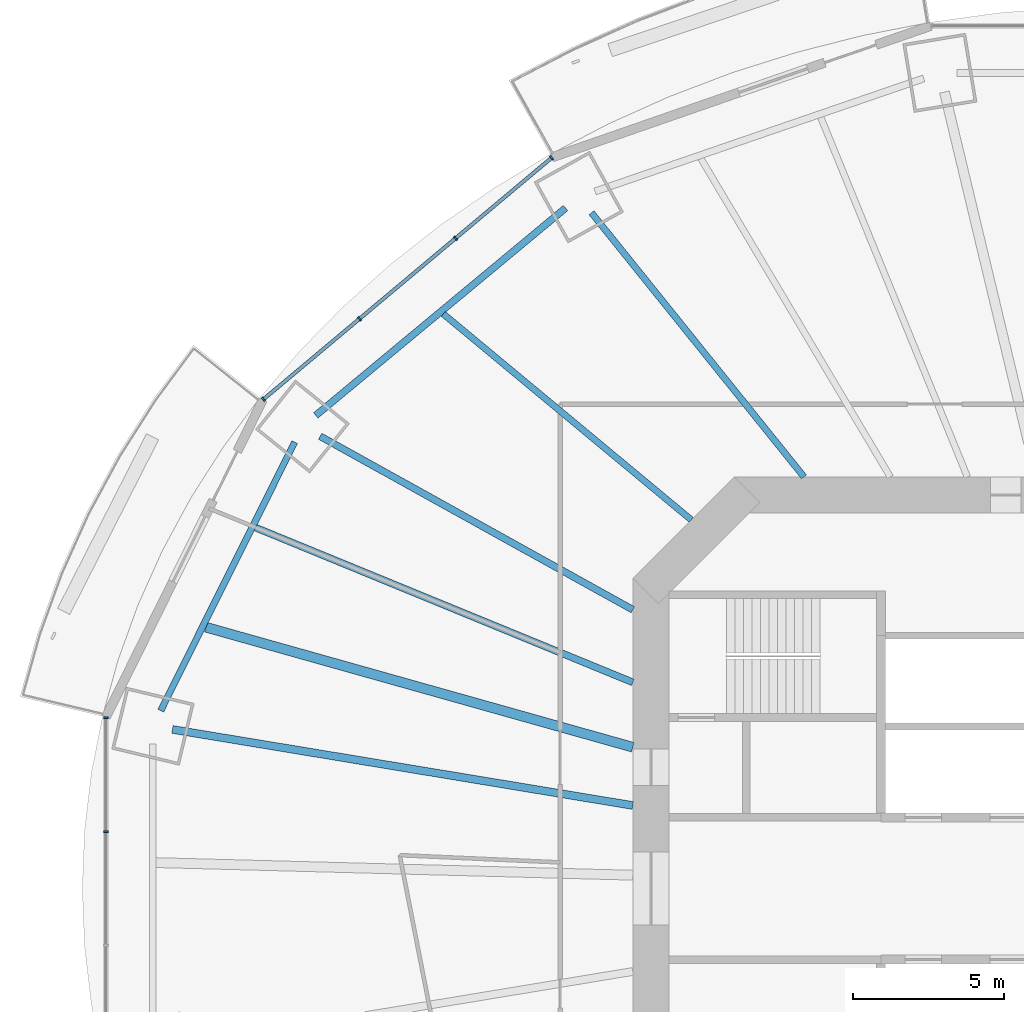
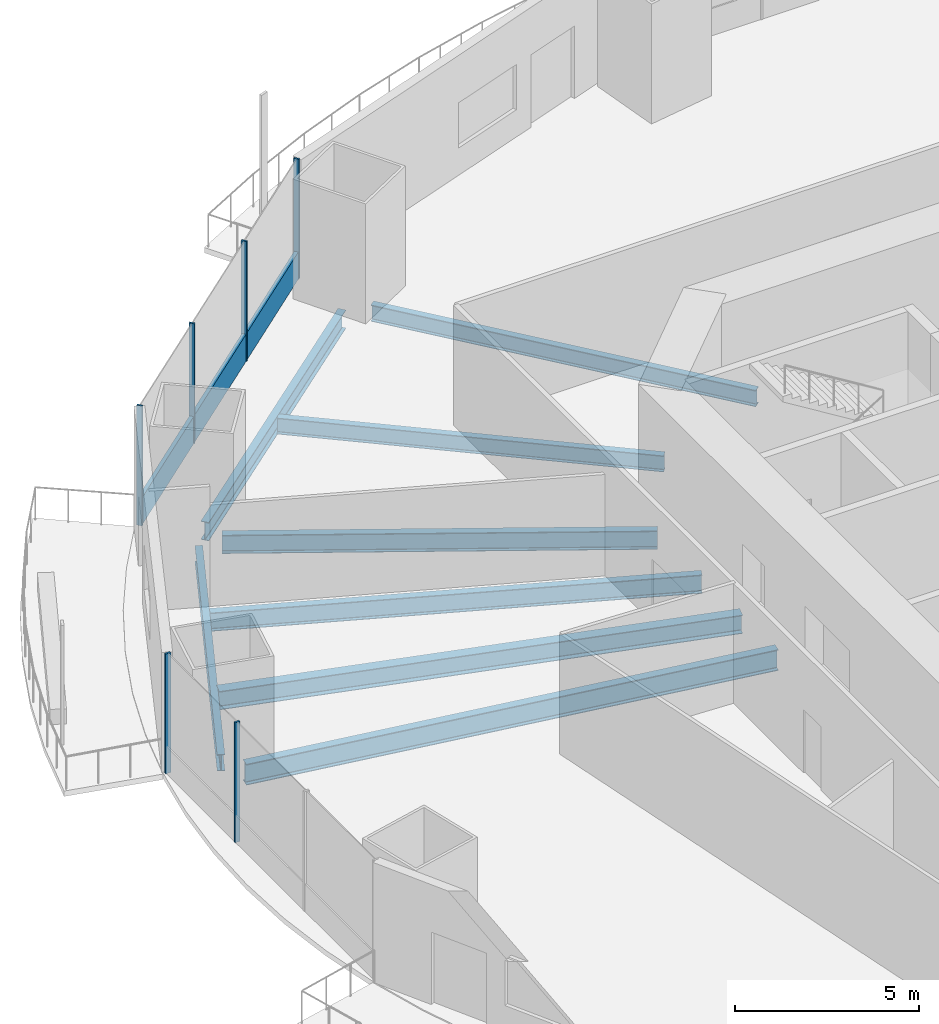
# One storey, part 6 of 22: 8 beams, 7 members, 2 elements without a shape of their own.
"""IFC4 building model written with IfcOpenShell, lengths in metres."""

from ifc_helpers import new_model, si_unit, direction, frame, origin, origin_2d, place, context, subcontext, project, spatial, rectangle, i_section, extrude, material, material_profile, profile_set, type_object, element, aggregate, save


model = new_model("IFC4")

# Units and contexts
model_context = context("Model", 3, precision=1e-05, world=origin(), true_north=direction((0.0, 1.0)))
body_context = subcontext(model_context, "Body", "Model", "MODEL_VIEW")
ifc_project = project(units=[si_unit("LENGTHUNIT", "METRE"), si_unit("AREAUNIT", "SQUARE_METRE"), si_unit("VOLUMEUNIT", "CUBIC_METRE"), si_unit("PLANEANGLEUNIT", "RADIAN"), si_unit("MASSUNIT", "GRAM", prefix="KILO")], contexts=[model_context])

# Site, building, storey
site_placement = place(None, origin())
site = spatial("IfcSite", under=ifc_project, at=site_placement, CompositionType="ELEMENT")
building_placement = place(site_placement, origin())
building = spatial("IfcBuilding", under=site, at=building_placement, Name="Marenthal Gate Tower", CompositionType="ELEMENT")
storey_placement = place(building_placement, frame((0.0, 0.0, 99.39990234375)))
storey = spatial("IfcBuildingStorey", under=building, at=storey_placement, Name="L20", CompositionType="ELEMENT", Elevation=99.39990234375)

# Curtain wall, members
ifc_material_1 = material(Name="Aluminium and glass", Category="aluminium")
curtain_wall_type = type_object("IfcCurtainWallType", Name="Curtain wall typical low", PredefinedType="NOTDEFINED", material=ifc_material_1)
curtain_wall_1_placement = place(storey_placement, origin())
curtain_wall_1 = element("IfcCurtainWall", 1, at=curtain_wall_1_placement, inside=storey, type_object=curtain_wall_type, Name="Curtain wall L20 bay 6", PredefinedType="NOTDEFINED")
ifc_material_2 = material(Name="Aluminium", Category="aluminium")
ifc_material_profile_1 = material_profile(ifc_material_2, rectangle(XDim=0.159912109375, YDim=0.06005859375, at=origin_2d()), Name="60x160 aluminium mullion")
ifc_profile_set_1 = profile_set([ifc_material_profile_1], Name="Aluminium")
member_type_1 = type_object("IfcMemberType", Name="Mullion 60x160 typical low", PredefinedType="MULLION", material=ifc_profile_set_1)
member_1_placement = place(storey_placement, frame((-19.283447265625, 24.137451171875, 0.0), z_axis=(0.0, 0.0, 1.0), x_axis=(0.642307658805, -0.766446913648, 0.0)))
member_1 = element("IfcMember", 2, at=member_1_placement, type_object=member_type_1, Name="Mullion L20 bay 6.1", PredefinedType="MULLION", context=body_context, shape_type="SweptSolid", body=[
    extrude(rectangle(XDim=0.159912109375, YDim=0.06005859375, at=origin_2d()), origin(), (0.0, 0.0, 1.0), 3.97021484375),
])
member_2_placement = place(storey_placement, frame((-22.45654296875, 21.478515625, 0.0), z_axis=(0.0, 0.0, 1.0), x_axis=(0.642307658805, -0.766446913648, 0.0)))
member_2 = element("IfcMember", 3, at=member_2_placement, type_object=member_type_1, Name="Mullion L20 bay 6.2", PredefinedType="MULLION", context=body_context, shape_type="SweptSolid", body=[
    extrude(rectangle(XDim=0.159912109375, YDim=0.06005859375, at=origin_2d()), origin(), (0.0, 0.0, 1.0), 3.97021484375),
])
member_3_placement = place(storey_placement, frame((-25.62939453125, 18.8193359375, 0.0), z_axis=(0.0, 0.0, 1.0), x_axis=(0.642307658805, -0.766446913648, 0.0)))
member_3 = element("IfcMember", 4, at=member_3_placement, type_object=member_type_1, Name="Mullion L20 bay 6.3", PredefinedType="MULLION", context=body_context, shape_type="SweptSolid", body=[
    extrude(rectangle(XDim=0.159912109375, YDim=0.06005859375, at=origin_2d()), origin(), (0.0, 0.0, 1.0), 3.97021484375),
])
member_4_placement = place(storey_placement, frame((-28.802490234375, 16.160400390625, 0.0), z_axis=(0.0, 0.0, 1.0), x_axis=(0.642307658805, -0.766446913648, 0.0)))
member_4 = element("IfcMember", 5, at=member_4_placement, type_object=member_type_1, Name="Mullion L20 bay 6.4", PredefinedType="MULLION", context=body_context, shape_type="SweptSolid", body=[
    extrude(rectangle(XDim=0.159912109375, YDim=0.06005859375, at=origin_2d()), origin(), (0.0, 0.0, 1.0), 3.97021484375),
])

curtain_wall_2_placement = place(storey_placement, origin())
curtain_wall_2 = element("IfcCurtainWall", 6, at=curtain_wall_2_placement, inside=storey, type_object=curtain_wall_type, Name="Curtain wall L20 bay 8", PredefinedType="NOTDEFINED")
member_5_placement = place(storey_placement, frame((-34.001953125, 5.637939453125, 0.0), z_axis=(0.0, 0.0, 1.0), x_axis=(1.0, 0.0, 0.0)))
member_5 = element("IfcMember", 7, at=member_5_placement, type_object=member_type_1, Name="Mullion L20 bay 8.1", PredefinedType="MULLION", context=body_context, shape_type="SweptSolid", body=[
    extrude(rectangle(XDim=0.159912109375, YDim=0.06005859375, at=origin_2d()), origin(), (0.0, 0.0, 1.0), 3.97021484375),
])
member_6_placement = place(storey_placement, frame((-34.001953125, 1.87939453125, 0.0), z_axis=(0.0, 0.0, 1.0), x_axis=(1.0, 0.0, 0.0)))
member_6 = element("IfcMember", 8, at=member_6_placement, type_object=member_type_1, Name="Mullion L20 bay 8.2", PredefinedType="MULLION", context=body_context, shape_type="SweptSolid", body=[
    extrude(rectangle(XDim=0.159912109375, YDim=0.06005859375, at=origin_2d()), origin(), (0.0, 0.0, 1.0), 3.97021484375),
])
aggregate(curtain_wall_2, [member_5, member_6])

# Member
ifc_material_3 = material(Name="Aluminium", Category="aluminium")
ifc_material_profile_2 = material_profile(ifc_material_3, rectangle(XDim=0.1201171875, YDim=0.89990234375, at=origin_2d()), Name="120x900 aluminium transom")
ifc_profile_set_2 = profile_set([ifc_material_profile_2], Name="Aluminium")
member_type_2 = type_object("IfcMemberType", Name="Transom 120x900 typical low", PredefinedType="USERDEFINED", material=ifc_profile_set_2)
member_7_placement = place(storey_placement, frame((-19.306396484375, 24.1181640625, 0.4501953125), z_axis=(-0.766442158037, -0.642313333494, 0.0), x_axis=(0.642313333494, -0.766442158037, 0.0)))
member_7 = element("IfcMember", 9, at=member_7_placement, type_object=member_type_2, Name="Transom L20 bay 6", ObjectType="TRANSOM", PredefinedType="USERDEFINED", context=body_context, shape_type="SweptSolid", body=[
    extrude(rectangle(XDim=0.1201171875, YDim=0.89990234375, at=origin_2d()), origin(), (0.0, 0.0, 1.0), 12.359619140625),
])

aggregate(curtain_wall_1, [member_1, member_2, member_3, member_4, member_7])

# Beams
ifc_material_4 = material(Name="Steel S355", Category="steel")
ifc_material_profile_3 = material_profile(ifc_material_4, i_section(OverallWidth=0.2099609375, OverallDepth=0.535888671875, WebThickness=0.010986328125, FlangeThickness=0.017333984375, FilletRadius=0.0126953125, at=origin_2d()), Name="W530X101")
ifc_profile_set_3 = profile_set([ifc_material_profile_3], Name="Steel S355")
beam_type_1 = type_object("IfcBeamType", Name="W530X101 beam", PredefinedType="BEAM", material=ifc_profile_set_3)
beam_1_placement = place(storey_placement, frame((-22.857666015625, 18.978759765625, -0.447998046875), z_axis=(0.769368830907, -0.63880482311, 0.0), x_axis=(0.63880482311, 0.769368830907, 0.0)))
element("IfcBeam", 10, at=beam_1_placement, inside=storey, type_object=beam_type_1, Name="BM-L20-25", PredefinedType="BEAM", context=body_context, shape_type="SweptSolid", body=[
    extrude(i_section(OverallWidth=0.2099609375, OverallDepth=0.535888671875, WebThickness=0.010986328125, FlangeThickness=0.017333984375, FilletRadius=0.0126953125, at=origin_2d()), origin(), (0.0, 0.0, 1.0), 10.643310546875),
])
ifc_material_5 = material(Name="Steel S355", Category="steel")
ifc_material_profile_4 = material_profile(ifc_material_5, i_section(OverallWidth=0.2119140625, OverallDepth=0.5439453125, WebThickness=0.01318359375, FlangeThickness=0.021240234375, FilletRadius=0.0126953125, at=origin_2d()), Name="W530X123")
ifc_profile_set_4 = profile_set([ifc_material_profile_4], Name="Steel S355")
beam_type_2 = type_object("IfcBeamType", Name="W530X123 beam", PredefinedType="BEAM", material=ifc_profile_set_4)
beam_2_placement = place(storey_placement, frame((-17.964599609375, 22.3232421875, -0.451904296875), z_axis=(0.626952602909, -0.779057400777, 0.0), x_axis=(0.779057400777, 0.626952602909, 0.0)))
element("IfcBeam", 11, at=beam_2_placement, inside=storey, type_object=beam_type_2, Name="BM-L20-06", PredefinedType="BEAM", context=body_context, shape_type="SweptSolid", body=[
    extrude(i_section(OverallWidth=0.2119140625, OverallDepth=0.5439453125, WebThickness=0.01318359375, FlangeThickness=0.021240234375, FilletRadius=0.0126953125, at=origin_2d()), origin(), (0.0, 0.0, 1.0), 11.197021484375),
])
beam_3_placement = place(storey_placement, frame((-27.768310546875, 14.748779296875, -0.451904296875), z_axis=(-0.446405750938, -0.89483065746, 0.0), x_axis=(0.89483065746, -0.446405750938, 0.0)))
element("IfcBeam", 12, at=beam_3_placement, inside=storey, type_object=beam_type_2, Name="BM-L20-47", PredefinedType="BEAM", context=body_context, shape_type="SweptSolid", body=[
    extrude(i_section(OverallWidth=0.2119140625, OverallDepth=0.5439453125, WebThickness=0.01318359375, FlangeThickness=0.021240234375, FilletRadius=0.0126953125, at=origin_2d()), origin(), (0.0, 0.0, 1.0), 9.914794921875),
])
ifc_material_6 = material(Name="Steel S355", Category="steel")
ifc_material_profile_5 = material_profile(ifc_material_6, i_section(OverallWidth=0.22900390625, OverallDepth=0.612060546875, WebThickness=0.011962890625, FlangeThickness=0.01953125, FilletRadius=0.0126953125, at=origin_2d()), Name="W610X125")
ifc_profile_set_5 = profile_set([ifc_material_profile_5], Name="Steel S355")
beam_type_3 = type_object("IfcBeamType", Name="W610X125 beam", PredefinedType="BEAM", material=ifc_profile_set_5)
beam_4_placement = place(storey_placement, frame((-26.928466796875, 14.939697265625, -0.48583984375), z_axis=(0.874435979354, -0.485140925929, 0.0), x_axis=(0.485140925929, 0.874435979354, 0.0)))
element("IfcBeam", 13, at=beam_4_placement, inside=storey, type_object=beam_type_3, Name="BM-L20-07", PredefinedType="BEAM", context=body_context, shape_type="SweptSolid", body=[
    extrude(i_section(OverallWidth=0.22900390625, OverallDepth=0.612060546875, WebThickness=0.011962890625, FlangeThickness=0.01953125, FilletRadius=0.0126953125, at=origin_2d()), origin(), (0.0, 0.0, 1.0), 11.8115234375),
])
beam_5_placement = place(storey_placement, frame((-29.060302734375, 11.921630859375, -0.48583984375), z_axis=(0.925176615925, -0.379536861642, 0.0), x_axis=(0.379536861642, 0.925176615925, 0.0)))
element("IfcBeam", 14, at=beam_5_placement, inside=storey, type_object=beam_type_3, Name="BM-L20-26", PredefinedType="BEAM", context=body_context, shape_type="SweptSolid", body=[
    extrude(i_section(OverallWidth=0.22900390625, OverallDepth=0.612060546875, WebThickness=0.011962890625, FlangeThickness=0.01953125, FilletRadius=0.0126953125, at=origin_2d()), origin(), (0.0, 0.0, 1.0), 13.468017578125),
])
beam_6_placement = place(storey_placement, frame((-18.820068359375, 22.479736328125, -0.48583984375), z_axis=(-0.769369356562, -0.638804190017, 0.0), x_axis=(0.638804190017, -0.769369356562, 0.0)))
element("IfcBeam", 15, at=beam_6_placement, inside=storey, type_object=beam_type_3, Name="BM-L20-46", PredefinedType="BEAM", context=body_context, shape_type="SweptSolid", body=[
    extrude(i_section(OverallWidth=0.22900390625, OverallDepth=0.612060546875, WebThickness=0.011962890625, FlangeThickness=0.01953125, FilletRadius=0.0126953125, at=origin_2d()), origin(), (0.0, 0.0, 1.0), 10.7255859375),
])
ifc_material_7 = material(Name="Steel S355", Category="steel")
ifc_material_profile_6 = material_profile(ifc_material_7, i_section(OverallWidth=0.324951171875, OverallDepth=0.612060546875, WebThickness=0.0126953125, FlangeThickness=0.01904296875, FilletRadius=0.0126953125, at=origin_2d()), Name="W610X155")
ifc_profile_set_6 = profile_set([ifc_material_profile_6], Name="Steel S355")
beam_type_4 = type_object("IfcBeamType", Name="W610X155 beam", PredefinedType="BEAM", material=ifc_profile_set_6)
beam_7_placement = place(storey_placement, frame((-30.701416015625, 8.631591796875, -0.48583984375), z_axis=(0.962675778396, -0.270657247621, 0.0), x_axis=(0.270657247621, 0.962675778396, 0.0)))
element("IfcBeam", 16, at=beam_7_placement, inside=storey, type_object=beam_type_4, Name="BM-L20-27", PredefinedType="BEAM", context=body_context, shape_type="SweptSolid", body=[
    extrude(i_section(OverallWidth=0.324951171875, OverallDepth=0.612060546875, WebThickness=0.0126953125, FlangeThickness=0.01904296875, FilletRadius=0.0126953125, at=origin_2d()), origin(), (0.0, 0.0, 1.0), 14.64794921875),
])
ifc_material_8 = material(Name="Steel S355", Category="steel")
ifc_material_profile_7 = material_profile(ifc_material_8, i_section(OverallWidth=0.257080078125, OverallDepth=0.693115234375, WebThickness=0.014404296875, FlangeThickness=0.023681640625, FilletRadius=0.015380859375, at=origin_2d()), Name="W690X170")
ifc_profile_set_7 = profile_set([ifc_material_profile_7], Name="Steel S355")
beam_type_5 = type_object("IfcBeamType", Name="W690X170 beam", PredefinedType="BEAM", material=ifc_profile_set_7)
beam_8_placement = place(storey_placement, frame((-31.80810546875, 5.25341796875, -0.5263671875), z_axis=(0.986634295721, -0.162950196404, 0.0), x_axis=(0.162950196404, 0.986634295721, 0.0)))
element("IfcBeam", 17, at=beam_8_placement, inside=storey, type_object=beam_type_5, Name="BM-L20-08", PredefinedType="BEAM", context=body_context, shape_type="SweptSolid", body=[
    extrude(i_section(OverallWidth=0.257080078125, OverallDepth=0.693115234375, WebThickness=0.014404296875, FlangeThickness=0.023681640625, FilletRadius=0.015380859375, at=origin_2d()), origin(), (0.0, 0.0, 1.0), 15.4140625),
])

save(model, "model.ifc")
